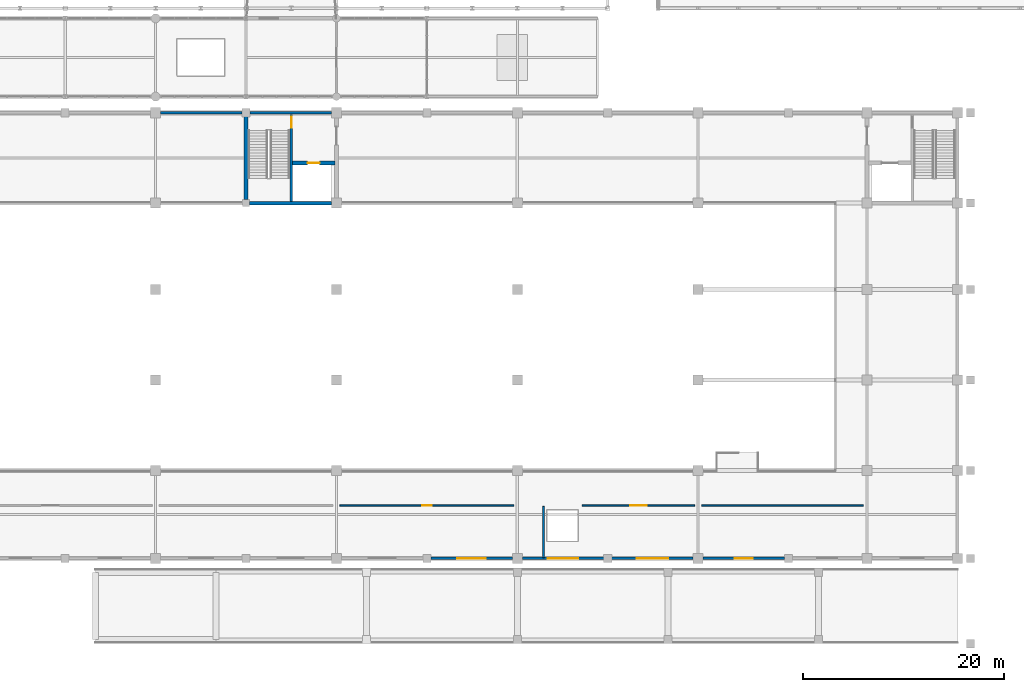
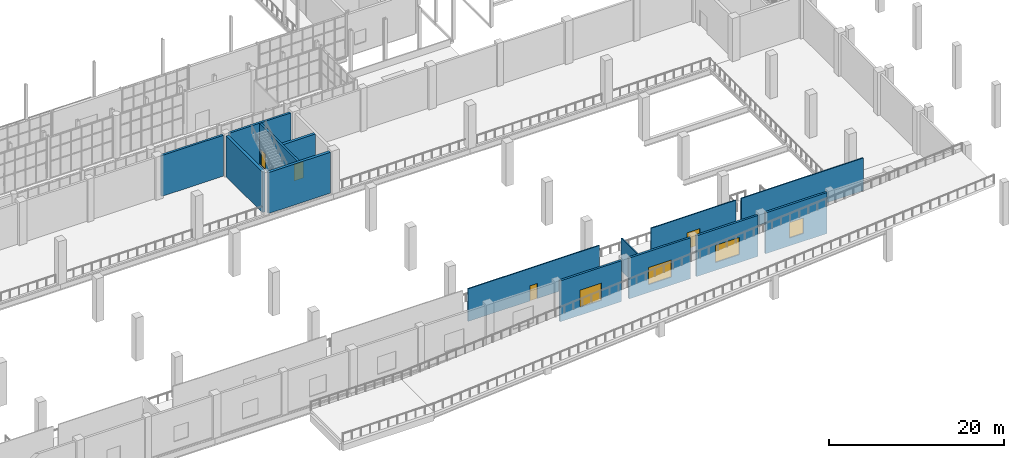
# One storey, part 126 of 159: 14 walls, 4 doors, 4 windows, 8 openings.
"""IFC4 building model written with IfcOpenShell, lengths in metres."""

from ifc_helpers import new_model, si_unit, direction, frame, frame_2d, origin, place, context, subcontext, project, spatial, rectangle, extrude, material, layer, layer_set, type_object, element, fill, save


model = new_model("IFC4")

# Units and contexts
model_context = context("Model", 3, precision=1e-05, world=origin(), true_north=direction((0.0, 1.0)))
body_context = subcontext(model_context, "Body", "Model", "MODEL_VIEW")
ifc_project = project(units=[si_unit("LENGTHUNIT", "METRE"), si_unit("AREAUNIT", "SQUARE_METRE"), si_unit("VOLUMEUNIT", "CUBIC_METRE"), si_unit("PLANEANGLEUNIT", "RADIAN"), si_unit("MASSUNIT", "GRAM", prefix="KILO")], contexts=[model_context])

# Site, building, storey
site_placement = place(None, origin())
site = spatial("IfcSite", under=ifc_project, at=site_placement, CompositionType="ELEMENT")
building_placement = place(site_placement, origin())
building = spatial("IfcBuilding", under=site, at=building_placement, Name="Cazmaro Siding Exhibition Halls", CompositionType="ELEMENT")
storey_placement = place(building_placement, frame((0.0, 0.0, 6.0)))
storey = spatial("IfcBuildingStorey", under=building, at=storey_placement, Name="L01", CompositionType="ELEMENT", Elevation=6.0)

# Walls
ifc_material_1 = material(Name="Precast concrete f'c 40 MPa", Category="concrete")
ifc_layer_1 = layer(ifc_material_1, 0.280029296875)
ifc_layer_set_1 = layer_set([ifc_layer_1], Name="Precast concrete f'c 40 MPa")
wall_type_1 = type_object("IfcWallType", Name="EW-02", PredefinedType="STANDARD", material=ifc_layer_set_1)
for number, where, z_axis, x_axis, name in (
    (1, (126.491943359375, 53.60009765625, 0.0), (0.0, 0.0, 1.0), (1.0, 0.0, 0.0), "Hall B1 North Upper Wall EW-02 WL-E0076"),
    (2, (135.39208984375, 53.60009765625, 0.0), (0.0, 0.0, 1.0), (1.0, 0.0, 0.0), "Hall B1 North Upper Wall EW-02 WL-E0082"),
):
    element("IfcWall", number, at=place(storey_placement, frame(where, z_axis=z_axis, x_axis=x_axis)), inside=storey, type_object=wall_type_1, Name=name, PredefinedType="STANDARD", context=body_context, shape_type="SweptSolid", body=[
        extrude(rectangle(XDim=8.115966796875, YDim=0.280029296875, at=frame_2d((4.05810546875, 0.0))), origin(), (0.0, 0.0, 1.0), 5.699951171875),
    ])

# Wall, opening, window
wall_1_placement = place(storey_placement, frame((161.508056640625, 9.25, 0.0), z_axis=(0.0, 0.0, 1.0), x_axis=(-1.0, 0.0, 0.0)))
wall_1 = element("IfcWall", 3, at=wall_1_placement, inside=storey, type_object=wall_type_1, Name="Hall B1 South Mezzanine Wall EW-02 WL-E0091", PredefinedType="STANDARD", context=body_context, shape_type="SweptSolid", body=[
    extrude(rectangle(XDim=8.115966796875, YDim=0.280029296875, at=frame_2d((4.05810546875, 0.0))), origin(), (0.0, 0.0, 1.0), 5.699951171875),
])
opening_1_placement = place(wall_1_placement, frame((2.633056640625, 0.0, 1.10009765625)))
opening_1 = element("IfcOpeningElement", 4, at=opening_1_placement, cuts=wall_1, Name="Opening W-041", PredefinedType="OPENING", context=body_context, shape_type="SweptSolid", body=[
    extrude(rectangle(XDim=2.85009765625, YDim=2.39990234375, at=frame_2d((1.425048828125, 1.199951171875))), frame((0.0, 0.14990234375, 0.0), z_axis=(0.0, -1.0, 0.0), x_axis=(1.0, 0.0, 0.0)), (0.0, 0.0, 1.0), 0.300048828125),
])
ifc_material_2 = material(Name="Thermally Broken Aluminum Low-E Window Unit", Category="aluminium")
window_type_1 = type_object("IfcWindowType", Name="WT-10", PartitioningType="SINGLE_PANEL", PredefinedType="WINDOW", material=ifc_material_2)
window_1_placement = place(opening_1_placement, origin())
window_1 = element("IfcWindow", 5, at=window_1_placement, inside=storey, type_object=window_type_1, Name="Window W-041 (WT-10)", OverallHeight=2.39990234375, OverallWidth=2.85009765625, PartitioningType="SINGLE_PANEL", PredefinedType="WINDOW", context=body_context, shape_type="SweptSolid", body=[
    extrude(rectangle(XDim=2.85009765625, YDim=2.39990234375, at=frame_2d((1.425048828125, 1.199951171875))), frame((0.0, 0.030029296875, 0.0), z_axis=(0.0, -1.0, 0.0), x_axis=(1.0, 0.0, 0.0)), (0.0, 0.0, 1.0), 0.06005859375),
])
fill(opening_1, window_1)

wall_2_placement = place(storey_placement, frame((170.60791015625, 9.25, 0.0), z_axis=(0.0, 0.0, 1.0), x_axis=(-1.0, 0.0, 0.0)))
wall_2 = element("IfcWall", 6, at=wall_2_placement, inside=storey, type_object=wall_type_1, Name="Hall B1 South Mezzanine Wall EW-02 WL-E0097", PredefinedType="STANDARD", context=body_context, shape_type="SweptSolid", body=[
    extrude(rectangle(XDim=8.115966796875, YDim=0.280029296875, at=frame_2d((4.05810546875, 0.0))), origin(), (0.0, 0.0, 1.0), 5.699951171875),
])
opening_2_placement = place(wall_2_placement, frame((2.55810546875, 0.0, 1.10009765625)))
opening_2 = element("IfcOpeningElement", 7, at=opening_2_placement, cuts=wall_2, Name="Opening W-044", PredefinedType="OPENING", context=body_context, shape_type="SweptSolid", body=[
    extrude(rectangle(XDim=3.0, YDim=2.39990234375, at=frame_2d((1.5, 1.199951171875))), frame((0.0, 0.14990234375, 0.0), z_axis=(0.0, -1.0, 0.0), x_axis=(1.0, 0.0, 0.0)), (0.0, 0.0, 1.0), 0.300048828125),
])
ifc_material_3 = material(Name="Thermally Broken Aluminum Low-E Window Unit", Category="aluminium")
window_type_2 = type_object("IfcWindowType", Name="WT-11", PartitioningType="SINGLE_PANEL", PredefinedType="WINDOW", material=ifc_material_3)
window_2_placement = place(opening_2_placement, origin())
window_2 = element("IfcWindow", 8, at=window_2_placement, inside=storey, type_object=window_type_2, Name="Window W-044 (WT-11)", OverallHeight=2.39990234375, OverallWidth=3.0, PartitioningType="SINGLE_PANEL", PredefinedType="WINDOW", context=body_context, shape_type="SweptSolid", body=[
    extrude(rectangle(XDim=3.0, YDim=2.39990234375, at=frame_2d((1.5, 1.199951171875))), frame((0.0, 0.030029296875, 0.0), z_axis=(0.0, -1.0, 0.0), x_axis=(1.0, 0.0, 0.0)), (0.0, 0.0, 1.0), 0.06005859375),
])
fill(opening_2, window_2)

wall_3_placement = place(storey_placement, frame((179.508056640625, 9.25, 0.0), z_axis=(0.0, 0.0, 1.0), x_axis=(-1.0, 0.0, 0.0)))
wall_3 = element("IfcWall", 9, at=wall_3_placement, inside=storey, type_object=wall_type_1, Name="Hall B1 South Mezzanine Wall EW-02 WL-E0103", PredefinedType="STANDARD", context=body_context, shape_type="SweptSolid", body=[
    extrude(rectangle(XDim=8.115966796875, YDim=0.280029296875, at=frame_2d((4.05810546875, 0.0))), origin(), (0.0, 0.0, 1.0), 5.699951171875),
])
opening_3_placement = place(wall_3_placement, frame((2.48291015625, 0.0, 1.10009765625)))
opening_3 = element("IfcOpeningElement", 10, at=opening_3_placement, cuts=wall_3, Name="Opening W-045", PredefinedType="OPENING", context=body_context, shape_type="SweptSolid", body=[
    extrude(rectangle(XDim=3.14990234375, YDim=2.39990234375, at=frame_2d((1.574951171875, 1.199951171875))), frame((0.0, 0.14990234375, 0.0), z_axis=(0.0, -1.0, 0.0), x_axis=(1.0, 0.0, 0.0)), (0.0, 0.0, 1.0), 0.300048828125),
])
ifc_material_4 = material(Name="Thermally Broken Aluminum Low-E Window Unit", Category="aluminium")
window_type_3 = type_object("IfcWindowType", Name="WT-12", PartitioningType="SINGLE_PANEL", PredefinedType="WINDOW", material=ifc_material_4)
window_3_placement = place(opening_3_placement, origin())
window_3 = element("IfcWindow", 11, at=window_3_placement, inside=storey, type_object=window_type_3, Name="Window W-045 (WT-12)", OverallHeight=2.39990234375, OverallWidth=3.14990234375, PartitioningType="SINGLE_PANEL", PredefinedType="WINDOW", context=body_context, shape_type="SweptSolid", body=[
    extrude(rectangle(XDim=3.14990234375, YDim=2.39990234375, at=frame_2d((1.574951171875, 1.199951171875))), frame((0.0, 0.030029296875, 0.0), z_axis=(0.0, -1.0, 0.0), x_axis=(1.0, 0.0, 0.0)), (0.0, 0.0, 1.0), 0.06005859375),
])
fill(opening_3, window_3)

wall_4_placement = place(storey_placement, frame((188.60791015625, 9.25, 0.0), z_axis=(0.0, 0.0, 1.0), x_axis=(-1.0, 0.0, 0.0)))
wall_4 = element("IfcWall", 12, at=wall_4_placement, inside=storey, type_object=wall_type_1, Name="Hall B1 South Mezzanine Wall EW-02 WL-E0109", PredefinedType="STANDARD", context=body_context, shape_type="SweptSolid", body=[
    extrude(rectangle(XDim=8.115966796875, YDim=0.280029296875, at=frame_2d((4.05810546875, 0.0))), origin(), (0.0, 0.0, 1.0), 5.699951171875),
])
opening_4_placement = place(wall_4_placement, frame((3.157958984375, 0.0, 1.10009765625)))
opening_4 = element("IfcOpeningElement", 13, at=opening_4_placement, cuts=wall_4, Name="Opening W-048", PredefinedType="OPENING", context=body_context, shape_type="SweptSolid", body=[
    extrude(rectangle(XDim=1.800048828125, YDim=2.14990234375, at=frame_2d((0.89990234375, 1.074951171875))), frame((0.0, 0.14990234375, 0.0), z_axis=(0.0, -1.0, 0.0), x_axis=(1.0, 0.0, 0.0)), (0.0, 0.0, 1.0), 0.300048828125),
])
ifc_material_5 = material(Name="Thermally Broken Aluminum Low-E Window Unit", Category="aluminium")
window_type_4 = type_object("IfcWindowType", Name="WT-13", PartitioningType="SINGLE_PANEL", PredefinedType="WINDOW", material=ifc_material_5)
window_4_placement = place(opening_4_placement, origin())
window_4 = element("IfcWindow", 14, at=window_4_placement, inside=storey, type_object=window_type_4, Name="Window W-048 (WT-13)", OverallHeight=2.14990234375, OverallWidth=1.800048828125, PartitioningType="SINGLE_PANEL", PredefinedType="WINDOW", context=body_context, shape_type="SweptSolid", body=[
    extrude(rectangle(XDim=1.800048828125, YDim=2.14990234375, at=frame_2d((0.89990234375, 1.074951171875))), frame((0.0, 0.030029296875, 0.0), z_axis=(0.0, -1.0, 0.0), x_axis=(1.0, 0.0, 0.0)), (0.0, 0.0, 1.0), 0.06005859375),
])
fill(opening_4, window_4)

# Wall, opening, door
ifc_material_6 = material(Name="Fire-Rated Gypsum Board on Cold-Formed Steel Studs", Category="steel")
ifc_layer_2 = layer(ifc_material_6, 0.14501953125)
ifc_layer_set_2 = layer_set([ifc_layer_2], Name="Fire-Rated Gypsum Board on Cold-Formed Steel Studs")
wall_type_2 = type_object("IfcWallType", Name="PW-01", PredefinedType="PARTITIONING", material=ifc_layer_set_2)
wall_5_placement = place(storey_placement, frame((144.35009765625, 14.5, 0.0), z_axis=(0.0, 0.0, 1.0), x_axis=(1.0, 0.0, 0.0)))
wall_5 = element("IfcWall", 15, at=wall_5_placement, inside=storey, type_object=wall_type_2, Name="Hall B1 South Mezzanine Corridor Wall L01 PW-01 WL-I0327", PredefinedType="PARTITIONING", context=body_context, shape_type="SweptSolid", body=[
    extrude(rectangle(XDim=17.2998046875, YDim=0.14501953125, at=frame_2d((8.64990234375, 0.0))), origin(), (0.0, 0.0, 1.0), 4.550048828125),
])
opening_5_placement = place(wall_5_placement, frame((8.175048828125, 0.0, 0.0)))
opening_5 = element("IfcOpeningElement", 16, at=opening_5_placement, cuts=wall_5, Name="Opening D-I156", PredefinedType="OPENING", context=body_context, shape_type="SweptSolid", body=[
    extrude(rectangle(XDim=0.949951171875, YDim=2.1201171875, at=frame_2d((0.47509765625, 1.06005859375))), frame((0.0, 0.08251953125, 0.0), z_axis=(0.0, -1.0, 0.0), x_axis=(1.0, 0.0, 0.0)), (0.0, 0.0, 1.0), 0.1650390625),
])
ifc_material_7 = material(Name="Fire-Rated Painted Hollow Metal Door", Category="steel")
door_type_1 = type_object("IfcDoorType", Name="ID-04", OperationType="NOTDEFINED", PredefinedType="DOOR", material=ifc_material_7)
door_1_placement = place(opening_5_placement, origin())
door_1 = element("IfcDoor", 17, at=door_1_placement, inside=storey, type_object=door_type_1, Name="Interior door D-I156 (ID-04)", OperationType="SINGLE_SWING_LEFT", OverallHeight=2.1201171875, OverallWidth=0.949951171875, PredefinedType="DOOR", context=body_context, shape_type="SweptSolid", body=[
    extrude(rectangle(XDim=0.949951171875, YDim=2.1201171875, at=frame_2d((0.47509765625, 1.06005859375))), frame((0.0, 0.02490234375, 0.0), z_axis=(0.0, -1.0, 0.0), x_axis=(1.0, 0.0, 0.0)), (0.0, 0.0, 1.0), 0.050048828125),
])
fill(opening_5, door_1)

wall_6_placement = place(storey_placement, frame((168.449951171875, 14.5, 0.0), z_axis=(0.0, 0.0, 1.0), x_axis=(1.0, 0.0, 0.0)))
wall_6 = element("IfcWall", 18, at=wall_6_placement, inside=storey, type_object=wall_type_2, Name="Hall B1 South Mezzanine Corridor Wall L01 PW-01 WL-I0328", PredefinedType="PARTITIONING", context=body_context, shape_type="SweptSolid", body=[
    extrude(rectangle(XDim=11.199951171875, YDim=0.14501953125, at=frame_2d((5.60009765625, 0.0))), origin(), (0.0, 0.0, 1.0), 4.550048828125),
])
opening_6_placement = place(wall_6_placement, frame((4.77490234375, 0.0, 0.0)))
opening_6 = element("IfcOpeningElement", 19, at=opening_6_placement, cuts=wall_6, Name="Opening D-I157", PredefinedType="OPENING", context=body_context, shape_type="SweptSolid", body=[
    extrude(rectangle(XDim=1.64990234375, YDim=2.25, at=frame_2d((0.824951171875, 1.125))), frame((0.0, 0.08251953125, 0.0), z_axis=(0.0, -1.0, 0.0), x_axis=(1.0, 0.0, 0.0)), (0.0, 0.0, 1.0), 0.1650390625),
])
ifc_material_8 = material(Name="Fire-Rated Painted Hollow Metal Door", Category="steel")
door_type_2 = type_object("IfcDoorType", Name="ID-05", OperationType="DOUBLE_DOOR_SINGLE_SWING", PredefinedType="DOOR", material=ifc_material_8)
door_2_placement = place(opening_6_placement, origin())
door_2 = element("IfcDoor", 20, at=door_2_placement, inside=storey, type_object=door_type_2, Name="Interior door D-I157 (ID-05)", OperationType="DOUBLE_DOOR_SINGLE_SWING", OverallHeight=2.25, OverallWidth=1.64990234375, PredefinedType="DOOR", context=body_context, shape_type="SweptSolid", body=[
    extrude(rectangle(XDim=1.64990234375, YDim=2.25, at=frame_2d((0.824951171875, 1.125))), frame((0.0, 0.02490234375, 0.0), z_axis=(0.0, -1.0, 0.0), x_axis=(1.0, 0.0, 0.0)), (0.0, 0.0, 1.0), 0.050048828125),
])
fill(opening_6, door_2)

# Walls
wall_7_placement = place(storey_placement, frame((180.35009765625, 14.5, 0.0), z_axis=(0.0, 0.0, 1.0), x_axis=(1.0, 0.0, 0.0)))
element("IfcWall", 21, at=wall_7_placement, inside=storey, type_object=wall_type_2, Name="Hall B1 South Mezzanine Corridor Wall L01 PW-01 WL-I0329", PredefinedType="PARTITIONING", context=body_context, shape_type="SweptSolid", body=[
    extrude(rectangle(XDim=16.099853515625, YDim=0.14501953125, at=frame_2d((8.0498046875, 0.0))), origin(), (0.0, 0.0, 1.0), 4.550048828125),
])
ifc_material_9 = material(Name="Moisture-Resistant Gypsum Board on Acoustic Steel Studs", Category="steel")
ifc_layer_3 = layer(ifc_material_9, 0.1650390625)
ifc_layer_set_3 = layer_set([ifc_layer_3], Name="Moisture-Resistant Gypsum Board on Acoustic Steel Studs")
wall_type_3 = type_object("IfcWallType", Name="PW-02", PredefinedType="PARTITIONING", material=ifc_layer_set_3)
wall_8_placement = place(storey_placement, frame((164.60009765625, 9.31005859375, 0.0), z_axis=(0.0, 0.0, 1.0), x_axis=(0.0, 1.0, 0.0)))
element("IfcWall", 22, at=wall_8_placement, inside=storey, type_object=wall_type_3, Name="Hall B1 Mezzanine Room Divider PW-02 WL-I0331", PredefinedType="PARTITIONING", context=body_context, shape_type="SweptSolid", body=[
    extrude(rectangle(XDim=5.10986328125, YDim=0.1650390625, at=frame_2d((2.554931640625, 0.0))), origin(), (0.0, 0.0, 1.0), 4.550048828125),
])
ifc_material_10 = material(Name="Concrete f'c 50 MPa", Category="concrete")
ifc_layer_4 = layer(ifc_material_10, 0.360107421875)
ifc_layer_set_4 = layer_set([ifc_layer_4], Name="Concrete f'c 50 MPa")
wall_type_4 = type_object("IfcWallType", Name="SW-01", PredefinedType="SHEAR", material=ifc_layer_set_4)
wall_9_placement = place(storey_placement, frame((135.0, 44.945068359375, 0.0), z_axis=(0.0, 0.0, 1.0), x_axis=(0.0, 1.0, 0.0)))
element("IfcWall", 23, at=wall_9_placement, inside=storey, type_object=wall_type_4, Name="Core C4 West Shear Wall SW-01 WL-I0042", PredefinedType="SHEAR", context=body_context, shape_type="SweptSolid", body=[
    extrude(rectangle(XDim=8.260009765625, YDim=0.360107421875, at=frame_2d((4.1298828125, 0.0))), origin(), (0.0, 0.0, 1.0), 5.699951171875),
])
wall_10_placement = place(storey_placement, frame((135.344970703125, 44.60009765625, 0.0), z_axis=(0.0, 0.0, 1.0), x_axis=(1.0, 0.0, 0.0)))
element("IfcWall", 24, at=wall_10_placement, inside=storey, type_object=wall_type_4, Name="Core C4 South Shear Wall SW-01 WL-I0044", PredefinedType="SHEAR", context=body_context, shape_type="SweptSolid", body=[
    extrude(rectangle(XDim=8.159912109375, YDim=0.360107421875, at=frame_2d((4.080078125, 0.0))), origin(), (0.0, 0.0, 1.0), 5.699951171875),
])

# Wall, opening, door
wall_11_placement = place(storey_placement, frame((139.614990234375, 48.60009765625, 0.0), z_axis=(0.0, 0.0, 1.0), x_axis=(1.0, 0.0, 0.0)))
wall_11 = element("IfcWall", 25, at=wall_11_placement, inside=storey, type_object=wall_type_4, Name="Core C4 Lift Shaft Wall SW-01 WL-I0046", PredefinedType="SHEAR", context=body_context, shape_type="SweptSolid", body=[
    extrude(rectangle(XDim=4.219970703125, YDim=0.360107421875, at=frame_2d((2.10986328125, 0.0))), origin(), (0.0, 0.0, 1.0), 5.699951171875),
])
opening_7_placement = place(wall_11_placement, frame((1.510009765625, 0.0, 0.0)))
opening_7 = element("IfcOpeningElement", 26, at=opening_7_placement, cuts=wall_11, Name="Opening LD-011", PredefinedType="OPENING", context=body_context, shape_type="SweptSolid", body=[
    extrude(rectangle(XDim=1.199951171875, YDim=2.300048828125, at=frame_2d((0.60009765625, 1.14990234375))), frame((0.0, 0.18994140625, 0.0), z_axis=(0.0, -1.0, 0.0), x_axis=(1.0, 0.0, 0.0)), (0.0, 0.0, 1.0), 0.380126953125),
])
ifc_material_11 = material(Name="Stainless Steel Elevator Landing Door", Category="steel")
door_type_3 = type_object("IfcDoorType", Name="LD-01", OperationType="SLIDING_TO_LEFT", PredefinedType="DOOR", material=ifc_material_11)
door_3_placement = place(opening_7_placement, origin())
door_3 = element("IfcDoor", 27, at=door_3_placement, inside=storey, type_object=door_type_3, Name="Interior door LD-011 (LD-01)", OperationType="SLIDING_TO_RIGHT", OverallHeight=2.300048828125, OverallWidth=1.199951171875, PredefinedType="DOOR", context=body_context, shape_type="SweptSolid", body=[
    extrude(rectangle(XDim=1.199951171875, YDim=2.300048828125, at=frame_2d((0.60009765625, 1.14990234375))), frame((0.0, 0.02490234375, 0.0), z_axis=(0.0, -1.0, 0.0), x_axis=(1.0, 0.0, 0.0)), (0.0, 0.0, 1.0), 0.050048828125),
])
fill(opening_7, door_3)

ifc_material_12 = material(Name="Concrete f'c 50 MPa", Category="concrete")
ifc_layer_5 = layer(ifc_material_12, 0.25)
ifc_layer_set_5 = layer_set([ifc_layer_5], Name="Concrete f'c 50 MPa")
wall_type_5 = type_object("IfcWallType", Name="SW-02", PredefinedType="SHEAR", material=ifc_layer_set_5)
wall_12_placement = place(storey_placement, frame((139.5, 44.764892578125, 0.0), z_axis=(0.0, 0.0, 1.0), x_axis=(0.0, 1.0, 0.0)))
wall_12 = element("IfcWall", 28, at=wall_12_placement, inside=storey, type_object=wall_type_5, Name="Core C4 Stair-Lobby Divider SW-02 WL-I0045", PredefinedType="SHEAR", context=body_context, shape_type="SweptSolid", body=[
    extrude(rectangle(XDim=8.670166015625, YDim=0.25, at=frame_2d((4.3349609375, 0.0))), origin(), (0.0, 0.0, 1.0), 5.699951171875),
])
opening_8_placement = place(wall_12_placement, frame((7.320068359375, 0.0, 0.0)))
opening_8 = element("IfcOpeningElement", 29, at=opening_8_placement, cuts=wall_12, Name="Opening D-I021", PredefinedType="OPENING", context=body_context, shape_type="SweptSolid", body=[
    extrude(rectangle(XDim=1.10009765625, YDim=2.199951171875, at=frame_2d((0.550048828125, 1.10009765625))), frame((0.0, 0.135009765625, 0.0), z_axis=(0.0, -1.0, 0.0), x_axis=(1.0, 0.0, 0.0)), (0.0, 0.0, 1.0), 0.27001953125),
])
ifc_material_13 = material(Name="Fire-Rated Painted Hollow Metal Door", Category="steel")
door_type_4 = type_object("IfcDoorType", Name="ID-01", OperationType="NOTDEFINED", PredefinedType="DOOR", material=ifc_material_13)
door_4_placement = place(opening_8_placement, origin())
door_4 = element("IfcDoor", 30, at=door_4_placement, inside=storey, type_object=door_type_4, Name="Interior door D-I021 (ID-01)", OperationType="SINGLE_SWING_RIGHT", OverallHeight=2.199951171875, OverallWidth=1.10009765625, PredefinedType="DOOR", context=body_context, shape_type="SweptSolid", body=[
    extrude(rectangle(XDim=1.10009765625, YDim=2.199951171875, at=frame_2d((0.550048828125, 1.10009765625))), frame((0.0, 0.02490234375, 0.0), z_axis=(0.0, -1.0, 0.0), x_axis=(1.0, 0.0, 0.0)), (0.0, 0.0, 1.0), 0.050048828125),
])
fill(opening_8, door_4)

save(model, "model.ifc")
